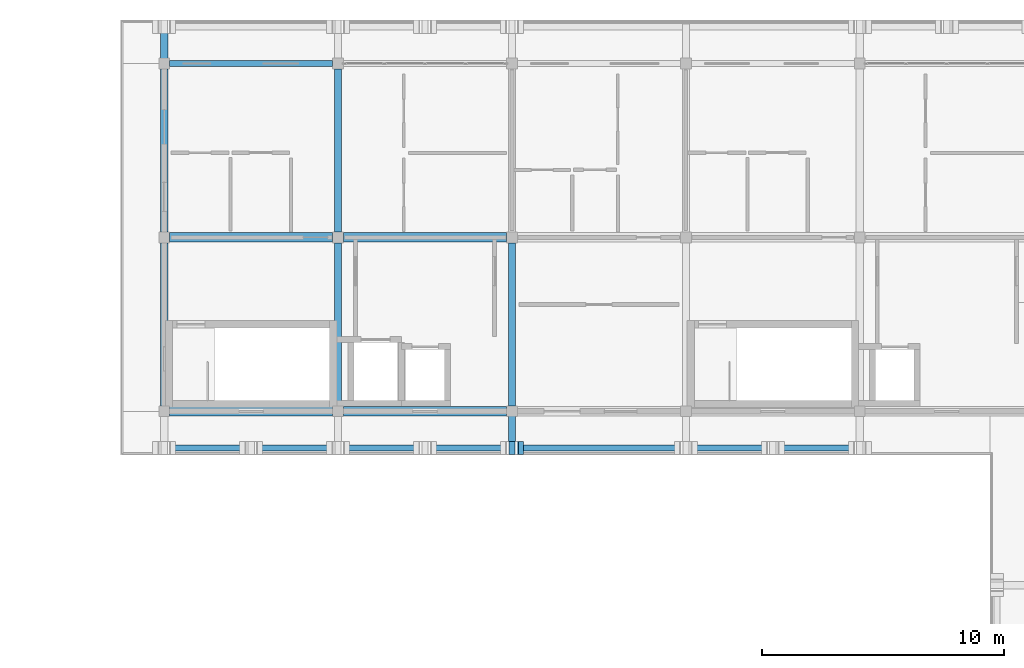
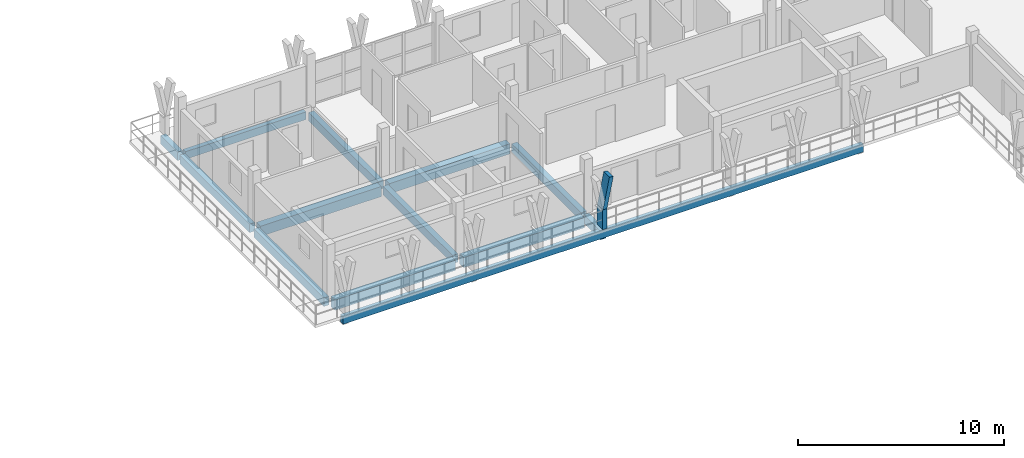
# One storey, part 8 of 32: 13 beams, 2 members.
"""IFC4 building model written with IfcOpenShell, lengths in metres."""

from ifc_helpers import new_model, si_unit, direction, frame, origin, origin_2d, place, context, subcontext, project, spatial, rectangle, extrude, material, material_profile, profile_set, type_object, element, save


model = new_model("IFC4")

# Units and contexts
model_context = context("Model", 3, precision=1e-05, world=origin(), true_north=direction((0.0, 1.0)))
body_context = subcontext(model_context, "Body", "Model", "MODEL_VIEW")
ifc_project = project(units=[si_unit("LENGTHUNIT", "METRE"), si_unit("AREAUNIT", "SQUARE_METRE"), si_unit("VOLUMEUNIT", "CUBIC_METRE"), si_unit("PLANEANGLEUNIT", "RADIAN"), si_unit("MASSUNIT", "GRAM", prefix="KILO")], contexts=[model_context])

# Site, building, storey
site_placement = place(None, origin())
site = spatial("IfcSite", under=ifc_project, at=site_placement, CompositionType="ELEMENT")
building_placement = place(site_placement, origin())
building = spatial("IfcBuilding", under=site, at=building_placement, Name="Suanplinth Sawtooth Commons", CompositionType="ELEMENT")
storey_placement = place(building_placement, frame((0.0, 0.0, 41.199951171875)))
storey = spatial("IfcBuildingStorey", under=building, at=storey_placement, Name="L12", CompositionType="ELEMENT", Elevation=41.199951171875)

# Beams
ifc_material_1 = material(Name="Precast concrete C40/50", Category="concrete")
ifc_material_profile_1 = material_profile(ifc_material_1, rectangle(XDim=0.39990234375, YDim=0.60009765625, at=origin_2d()), Name="PC-GDR 400x600")
ifc_profile_set_1 = profile_set([ifc_material_profile_1], Name="Precast concrete C40/50")
beam_type_1 = type_object("IfcBeamType", Name="B-05", PredefinedType="USERDEFINED", material=ifc_profile_set_1)
for number, where, z_axis, x_axis, name in (
    (1, (137.02490234375, 108.0, -0.510009765625), (1.0, 0.0, 0.0), (0.0, 1.0, 0.0), "BMX-L12-B-19-15"),
    (2, (137.02490234375, 115.199951171875, -0.510009765625), (1.0, 0.0, 0.0), (0.0, 1.0, 0.0), "BMX-L12-B-19-16"),
    (3, (144.22509765625, 108.0, -0.510009765625), (1.0, 0.0, 0.0), (0.0, 1.0, 0.0), "BMX-L12-B-20-15"),
    (4, (144.22509765625, 115.199951171875, -0.510009765625), (1.0, 0.0, 0.0), (0.0, 1.0, 0.0), "BMX-L12-B-20-16"),
):
    element("IfcBeam", number, at=place(storey_placement, frame(where, z_axis=z_axis, x_axis=x_axis)), inside=storey, type_object=beam_type_1, Name=name, ObjectType="GIRDER", PredefinedType="USERDEFINED", context=body_context, shape_type="SweptSolid", body=[
        extrude(rectangle(XDim=0.39990234375, YDim=0.60009765625, at=origin_2d()), origin(), (0.0, 0.0, 1.0), 6.75),
    ])
ifc_material_profile_2 = material_profile(ifc_material_1, rectangle(XDim=0.300048828125, YDim=0.5, at=origin_2d()), Name="PC-BM 300x500")
ifc_profile_set_2 = profile_set([ifc_material_profile_2], Name="Precast concrete C40/50")
beam_type_2 = type_object("IfcBeamType", Name="B-07", PredefinedType="BEAM", material=ifc_profile_set_2)
for number, where, z_axis, x_axis, name in (
    (5, (136.800048828125, 108.22509765625, -0.4599609375), (0.0, 1.0, 0.0), (-1.0, 0.0, 0.0), "BMY-L12-B-19-15"),
    (6, (136.800048828125, 115.425048828125, -0.4599609375), (0.0, 1.0, 0.0), (-1.0, 0.0, 0.0), "BMY-L12-B-19-16"),
    (7, (144.0, 108.22509765625, -0.4599609375), (0.0, 1.0, 0.0), (-1.0, 0.0, 0.0), "BMY-L12-B-20-15"),
    (8, (144.0, 115.425048828125, -0.4599609375), (0.0, 1.0, 0.0), (-1.0, 0.0, 0.0), "BMY-L12-B-20-16"),
    (9, (151.199951171875, 108.22509765625, -0.4599609375), (0.0, 1.0, 0.0), (-1.0, 0.0, 0.0), "BMY-L12-B-21-15"),
):
    element("IfcBeam", number, at=place(storey_placement, frame(where, z_axis=z_axis, x_axis=x_axis)), inside=storey, type_object=beam_type_2, Name=name, PredefinedType="BEAM", context=body_context, shape_type="SweptSolid", body=[
        extrude(rectangle(XDim=0.300048828125, YDim=0.5, at=origin_2d()), origin(), (0.0, 0.0, 1.0), 6.75),
    ])
beam_1_placement = place(storey_placement, frame((136.800048828125, 122.39990234375, -0.429931640625), z_axis=(0.0, 1.0, 0.0), x_axis=(-1.0, 0.0, 0.0)))
element("IfcBeam", 10, at=beam_1_placement, inside=storey, type_object=beam_type_2, Name="Balcony Outrigger L12-B-N-19", PredefinedType="BEAM", context=body_context, shape_type="SweptSolid", body=[
    extrude(rectangle(XDim=0.300048828125, YDim=0.5, at=origin_2d()), origin(), (0.0, 0.0, 1.0), 1.64013671875),
])
beam_2_placement = place(storey_placement, frame((151.199951171875, 108.0, -0.425048828125), z_axis=(0.0, -1.0, 0.0), x_axis=(1.0, 0.0, 0.0)))
element("IfcBeam", 11, at=beam_2_placement, inside=storey, type_object=beam_type_2, Name="Balcony Outrigger L12-B-SC-21", PredefinedType="BEAM", context=body_context, shape_type="SweptSolid", body=[
    extrude(rectangle(XDim=0.300048828125, YDim=0.5, at=origin_2d()), origin(), (0.0, 0.0, 1.0), 1.639892578125),
])
ifc_material_profile_3 = material_profile(ifc_material_1, rectangle(XDim=0.25, YDim=0.449951171875, at=origin_2d()), Name="PC-SP 250x450")
ifc_profile_set_3 = profile_set([ifc_material_profile_3], Name="Precast concrete C40/50")
beam_type_3 = type_object("IfcBeamType", Name="B-09", PredefinedType="SPANDREL", material=ifc_profile_set_3)
beam_3_placement = place(storey_placement, frame((137.02490234375, 122.39990234375, -0.43505859375), z_axis=(1.0, 0.0, 0.0), x_axis=(0.0, 1.0, 0.0)))
element("IfcBeam", 12, at=beam_3_placement, inside=storey, type_object=beam_type_3, Name="BMX-L12-B-19-17", PredefinedType="SPANDREL", context=body_context, shape_type="SweptSolid", body=[
    extrude(rectangle(XDim=0.25, YDim=0.449951171875, at=origin_2d()), origin(), (0.0, 0.0, 1.0), 6.75),
])
beam_4_placement = place(storey_placement, frame((136.64990234375, 106.47998046875, -0.39990234375), z_axis=(1.0, 0.0, 0.0), x_axis=(0.0, 1.0, 0.0)))
element("IfcBeam", 13, at=beam_4_placement, inside=storey, type_object=beam_type_3, Name="Balcony Edge Fascia L12-B-SC", PredefinedType="SPANDREL", context=body_context, shape_type="SweptSolid", body=[
    extrude(rectangle(XDim=0.25, YDim=0.449951171875, at=origin_2d()), origin(), (0.0, 0.0, 1.0), 29.10009765625),
])

# Members
ifc_material_2 = material(Name="Pigmented precast concrete C40/50", Category="concrete")
ifc_material_profile_4 = material_profile(ifc_material_2, rectangle(XDim=0.260009765625, YDim=0.550048828125, at=origin_2d()), Name="PC-FIN 260x550")
ifc_profile_set_4 = profile_set([ifc_material_profile_4], Name="Pigmented precast concrete C40/50")
member_type_1 = type_object("IfcMemberType", Name="M-09", PredefinedType="USERDEFINED", material=ifc_profile_set_4)
member_1_placement = place(storey_placement, frame((151.199951171875, 106.47998046875, 0.0), z_axis=(0.0, 0.0, 1.0), x_axis=(1.0, 0.0, 0.0)))
element("IfcMember", 14, at=member_1_placement, inside=storey, type_object=member_type_1, Name="Y-Blade Stem L12-B-SC-18", ObjectType="SHADING FIN", PredefinedType="USERDEFINED", context=body_context, shape_type="SweptSolid", body=[
    extrude(rectangle(XDim=0.260009765625, YDim=0.550048828125, at=origin_2d()), origin(), (0.0, 0.0, 1.0), 1.170166015625),
])
ifc_material_profile_5 = material_profile(ifc_material_2, rectangle(XDim=0.219970703125, YDim=0.550048828125, at=origin_2d()), Name="PC-FIN 220x550")
ifc_profile_set_5 = profile_set([ifc_material_profile_5], Name="Pigmented precast concrete C40/50")
member_type_2 = type_object("IfcMemberType", Name="M-10", PredefinedType="USERDEFINED", material=ifc_profile_set_5)
member_2_placement = place(storey_placement, frame((151.199951171875, 106.47998046875, 1.130126953125), z_axis=(0.196216224008, 0.0, 0.980560652604), x_axis=(-0.980560652604, 0.0, 0.196216224008)))
element("IfcMember", 15, at=member_2_placement, inside=storey, type_object=member_type_2, Name="Y-Blade Arm R L12-B-SC-18", ObjectType="SHADING FIN", PredefinedType="USERDEFINED", context=body_context, shape_type="SweptSolid", body=[
    extrude(rectangle(XDim=0.219970703125, YDim=0.550048828125, at=origin_2d()), origin(), (0.0, 0.0, 1.0), 1.876220703125),
])

save(model, "model.ifc")
